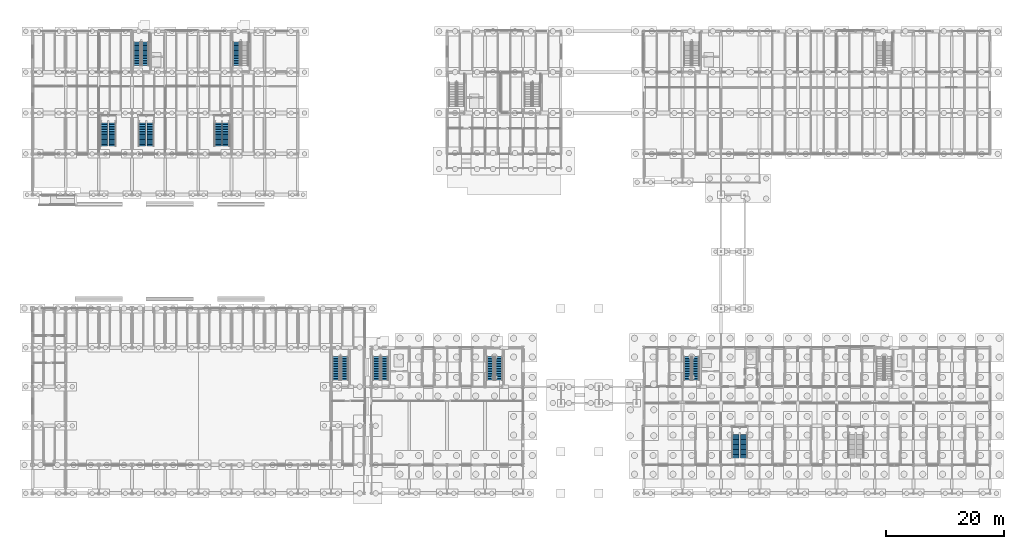
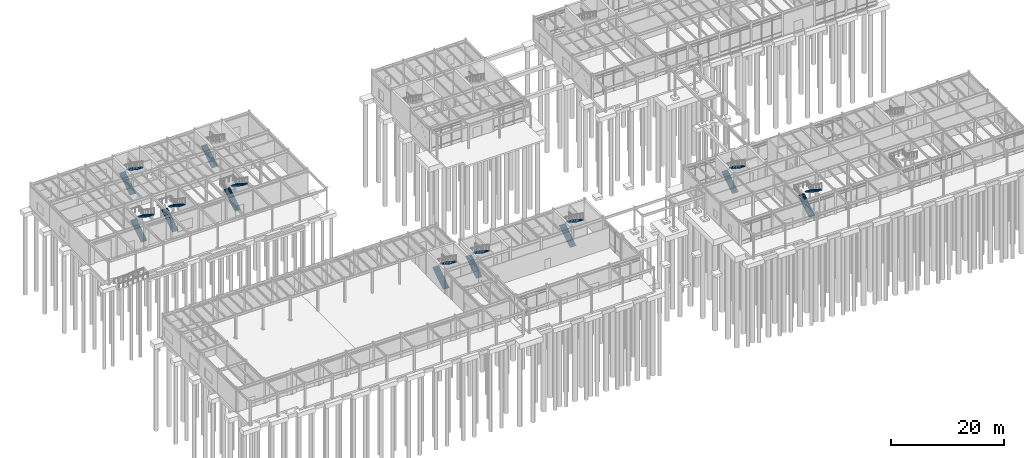
# One storey, part 76 of 82: 19 stair flights, 10 elements without a shape of their own.
"""IFC4 building model written with IfcOpenShell, lengths in metres."""

from ifc_helpers import new_model, si_unit, direction, frame, origin, place, context, subcontext, project, spatial, polyline, outline, extrude, material, layer, layer_set, type_object, element, aggregate, save


model = new_model("IFC4")

# Units and contexts
model_context = context("Model", 3, precision=1e-05, world=origin(), true_north=direction((0.0, 1.0)))
body_context = subcontext(model_context, "Body", "Model", "MODEL_VIEW")
ifc_project = project(units=[si_unit("LENGTHUNIT", "METRE"), si_unit("AREAUNIT", "SQUARE_METRE"), si_unit("VOLUMEUNIT", "CUBIC_METRE"), si_unit("PLANEANGLEUNIT", "RADIAN"), si_unit("MASSUNIT", "GRAM", prefix="KILO")], contexts=[model_context])

# Site, building, storey
site_placement = place(None, origin())
site = spatial("IfcSite", under=ifc_project, at=site_placement, CompositionType="ELEMENT")
building_placement = place(site_placement, origin())
building = spatial("IfcBuilding", under=site, at=building_placement, Name="Trelmorton Wharf Fire Station", CompositionType="ELEMENT")
storey_placement = place(building_placement, origin())
storey = spatial("IfcBuildingStorey", under=building, at=storey_placement, Name="L00", CompositionType="ELEMENT", Elevation=0.0)

# Stair, stair flights
ifc_material = material(Name="Precast concrete 45 MPa", Category="concrete")
stair_type = type_object("IfcStairType", Name="ST_DOG_540", PredefinedType="HALF_TURN_STAIR", material=ifc_material)
stair_1_placement = place(storey_placement, origin())
stair_1 = element("IfcStair", 1, at=stair_1_placement, inside=storey, type_object=stair_type, Name="Escape Stair ST2-L00", PredefinedType="HALF_TURN_STAIR")
ifc_layer_1 = layer(ifc_material, 0.139892578125)
ifc_layer_set_1 = layer_set([ifc_layer_1], Name="Precast concrete 45 MPa")
stair_flight_type_1 = type_object("IfcStairFlightType", Name="SF_PRE_120", PredefinedType="STRAIGHT", material=ifc_layer_set_1)
stair_flight_1_placement = place(storey_placement, frame((58.860107421875, 22.139892578125, 0.0), z_axis=(0.0, 0.0, 1.0), x_axis=(0.0, 1.0, 0.0)))
stair_flight_1 = element("IfcStairFlight", 2, at=stair_flight_1_placement, type_object=stair_flight_type_1, Name="ST2-L00 flight 1", NumberOfRisers=15, NumberOfTreads=14, PredefinedType="STRAIGHT", RiserHeight=0.18, TreadLength=0.28, context=body_context, shape_type="SweptSolid", body=[
    extrude(outline(polyline([(0.0, 0.0), (0.0, 0.179931640625), (0.280029296875, 0.179931640625), (0.280029296875, 0.360107421875), (0.56005859375, 0.360107421875), (0.56005859375, 0.5400390625), (0.840087890625, 0.5400390625), (0.840087890625, 0.719970703125), (1.1201171875, 0.719970703125), (1.1201171875, 0.89990234375), (1.39990234375, 0.89990234375), (1.39990234375, 1.080078125), (1.679931640625, 1.080078125), (1.679931640625, 1.260009765625), (1.9599609375, 1.260009765625), (1.9599609375, 1.43994140625), (2.239990234375, 1.43994140625), (2.239990234375, 1.6201171875), (2.52001953125, 1.6201171875), (2.52001953125, 1.800048828125), (2.800048828125, 1.800048828125), (2.800048828125, 1.97998046875), (3.080078125, 1.97998046875), (3.080078125, 2.159912109375), (3.360107421875, 2.159912109375), (3.360107421875, 2.340087890625), (3.639892578125, 2.340087890625), (3.639892578125, 2.52001953125), (3.919921875, 2.52001953125), (3.919921875, 2.699951171875), (3.919921875, 2.329833984375), (0.295654296875, 0.0), (0.0, 0.0)])), frame((0.0, 0.60009765625, 0.0), z_axis=(0.0, -1.0, 0.0), x_axis=(1.0, 0.0, 0.0)), (0.0, 0.0, 1.0), 1.199951171875),
])
stair_flight_2_placement = place(storey_placement, frame((60.260009765625, 26.06005859375, 2.699951171875), z_axis=(0.0, 0.0, 1.0), x_axis=(0.0, -1.0, 0.0)))
stair_flight_2 = element("IfcStairFlight", 3, at=stair_flight_2_placement, type_object=stair_flight_type_1, Name="ST2-L00 flight 2", NumberOfRisers=15, NumberOfTreads=14, PredefinedType="STRAIGHT", RiserHeight=0.18, TreadLength=0.28, context=body_context, shape_type="SweptSolid", body=[
    extrude(outline(polyline([(0.0, 0.0), (0.0, 0.179931640625), (0.280029296875, 0.179931640625), (0.280029296875, 0.360107421875), (0.56005859375, 0.360107421875), (0.56005859375, 0.5400390625), (0.840087890625, 0.5400390625), (0.840087890625, 0.719970703125), (1.1201171875, 0.719970703125), (1.1201171875, 0.89990234375), (1.39990234375, 0.89990234375), (1.39990234375, 1.080078125), (1.679931640625, 1.080078125), (1.679931640625, 1.260009765625), (1.9599609375, 1.260009765625), (1.9599609375, 1.43994140625), (2.239990234375, 1.43994140625), (2.239990234375, 1.6201171875), (2.52001953125, 1.6201171875), (2.52001953125, 1.800048828125), (2.800048828125, 1.800048828125), (2.800048828125, 1.97998046875), (3.080078125, 1.97998046875), (3.080078125, 2.159912109375), (3.360107421875, 2.159912109375), (3.360107421875, 2.340087890625), (3.639892578125, 2.340087890625), (3.639892578125, 2.52001953125), (3.919921875, 2.52001953125), (3.919921875, 2.699951171875), (3.919921875, 2.329833984375), (0.295654296875, 0.0), (0.0, 0.0)])), frame((0.0, 0.60009765625, 0.0), z_axis=(0.0, -1.0, 0.0), x_axis=(1.0, 0.0, 0.0)), (0.0, 0.0, 1.0), 1.199951171875),
])
aggregate(stair_1, [stair_flight_1, stair_flight_2])

stair_2_placement = place(storey_placement, origin())
stair_2 = element("IfcStair", 4, at=stair_2_placement, inside=storey, type_object=stair_type, Name="Escape Stair ST4-L00", PredefinedType="HALF_TURN_STAIR")
stair_flight_3_placement = place(storey_placement, frame((111.360107421875, 22.139892578125, 0.0), z_axis=(0.0, 0.0, 1.0), x_axis=(0.0, 1.0, 0.0)))
stair_flight_3 = element("IfcStairFlight", 5, at=stair_flight_3_placement, type_object=stair_flight_type_1, Name="ST4-L00 flight 1", NumberOfRisers=15, NumberOfTreads=14, PredefinedType="STRAIGHT", RiserHeight=0.18, TreadLength=0.28, context=body_context, shape_type="SweptSolid", body=[
    extrude(outline(polyline([(0.0, 0.0), (0.0, 0.179931640625), (0.280029296875, 0.179931640625), (0.280029296875, 0.360107421875), (0.56005859375, 0.360107421875), (0.56005859375, 0.5400390625), (0.840087890625, 0.5400390625), (0.840087890625, 0.719970703125), (1.1201171875, 0.719970703125), (1.1201171875, 0.89990234375), (1.39990234375, 0.89990234375), (1.39990234375, 1.080078125), (1.679931640625, 1.080078125), (1.679931640625, 1.260009765625), (1.9599609375, 1.260009765625), (1.9599609375, 1.43994140625), (2.239990234375, 1.43994140625), (2.239990234375, 1.6201171875), (2.52001953125, 1.6201171875), (2.52001953125, 1.800048828125), (2.800048828125, 1.800048828125), (2.800048828125, 1.97998046875), (3.080078125, 1.97998046875), (3.080078125, 2.159912109375), (3.360107421875, 2.159912109375), (3.360107421875, 2.340087890625), (3.639892578125, 2.340087890625), (3.639892578125, 2.52001953125), (3.919921875, 2.52001953125), (3.919921875, 2.699951171875), (3.919921875, 2.329833984375), (0.295654296875, 0.0), (0.0, 0.0)])), frame((0.0, 0.60009765625, 0.0), z_axis=(0.0, -1.0, 0.0), x_axis=(1.0, 0.0, 0.0)), (0.0, 0.0, 1.0), 1.199951171875),
])
stair_flight_4_placement = place(storey_placement, frame((112.760009765625, 26.06005859375, 2.699951171875), z_axis=(0.0, 0.0, 1.0), x_axis=(0.0, -1.0, 0.0)))
stair_flight_4 = element("IfcStairFlight", 6, at=stair_flight_4_placement, type_object=stair_flight_type_1, Name="ST4-L00 flight 2", NumberOfRisers=15, NumberOfTreads=14, PredefinedType="STRAIGHT", RiserHeight=0.18, TreadLength=0.28, context=body_context, shape_type="SweptSolid", body=[
    extrude(outline(polyline([(0.0, 0.0), (0.0, 0.179931640625), (0.280029296875, 0.179931640625), (0.280029296875, 0.360107421875), (0.56005859375, 0.360107421875), (0.56005859375, 0.5400390625), (0.840087890625, 0.5400390625), (0.840087890625, 0.719970703125), (1.1201171875, 0.719970703125), (1.1201171875, 0.89990234375), (1.39990234375, 0.89990234375), (1.39990234375, 1.080078125), (1.679931640625, 1.080078125), (1.679931640625, 1.260009765625), (1.9599609375, 1.260009765625), (1.9599609375, 1.43994140625), (2.239990234375, 1.43994140625), (2.239990234375, 1.6201171875), (2.52001953125, 1.6201171875), (2.52001953125, 1.800048828125), (2.800048828125, 1.800048828125), (2.800048828125, 1.97998046875), (3.080078125, 1.97998046875), (3.080078125, 2.159912109375), (3.360107421875, 2.159912109375), (3.360107421875, 2.340087890625), (3.639892578125, 2.340087890625), (3.639892578125, 2.52001953125), (3.919921875, 2.52001953125), (3.919921875, 2.699951171875), (3.919921875, 2.329833984375), (0.295654296875, 0.0), (0.0, 0.0)])), frame((0.0, 0.60009765625, 0.0), z_axis=(0.0, -1.0, 0.0), x_axis=(1.0, 0.0, 0.0)), (0.0, 0.0, 1.0), 1.199951171875),
])
aggregate(stair_2, [stair_flight_3, stair_flight_4])

stair_3_placement = place(storey_placement, origin())
stair_3 = element("IfcStair", 7, at=stair_3_placement, inside=storey, type_object=stair_type, Name="Escape Stair ST6-L00", PredefinedType="HALF_TURN_STAIR")
stair_flight_5_placement = place(storey_placement, frame((18.4599609375, 75.239990234375, 0.0), z_axis=(0.0, 0.0, 1.0), x_axis=(0.0, 1.0, 0.0)))
stair_flight_5 = element("IfcStairFlight", 8, at=stair_flight_5_placement, type_object=stair_flight_type_1, Name="ST6-L00 flight 1", NumberOfRisers=15, NumberOfTreads=14, PredefinedType="STRAIGHT", RiserHeight=0.18, TreadLength=0.28, context=body_context, shape_type="SweptSolid", body=[
    extrude(outline(polyline([(0.0, 0.0), (0.0, 0.179931640625), (0.280029296875, 0.179931640625), (0.280029296875, 0.360107421875), (0.56005859375, 0.360107421875), (0.56005859375, 0.5400390625), (0.840087890625, 0.5400390625), (0.840087890625, 0.719970703125), (1.1201171875, 0.719970703125), (1.1201171875, 0.89990234375), (1.39990234375, 0.89990234375), (1.39990234375, 1.080078125), (1.679931640625, 1.080078125), (1.679931640625, 1.260009765625), (1.9599609375, 1.260009765625), (1.9599609375, 1.43994140625), (2.239990234375, 1.43994140625), (2.239990234375, 1.6201171875), (2.52001953125, 1.6201171875), (2.52001953125, 1.800048828125), (2.800048828125, 1.800048828125), (2.800048828125, 1.97998046875), (3.080078125, 1.97998046875), (3.080078125, 2.159912109375), (3.360107421875, 2.159912109375), (3.360107421875, 2.340087890625), (3.639892578125, 2.340087890625), (3.639892578125, 2.52001953125), (3.919921875, 2.52001953125), (3.919921875, 2.699951171875), (3.919921875, 2.329833984375), (0.295654296875, 0.0), (0.0, 0.0)])), frame((0.0, 0.60009765625, 0.0), z_axis=(0.0, -1.0, 0.0), x_axis=(1.0, 0.0, 0.0)), (0.0, 0.0, 1.0), 1.199951171875),
])
stair_flight_6_placement = place(storey_placement, frame((19.860107421875, 79.159912109375, 2.699951171875), z_axis=(0.0, 0.0, 1.0), x_axis=(0.0, -1.0, 0.0)))
stair_flight_6 = element("IfcStairFlight", 9, at=stair_flight_6_placement, type_object=stair_flight_type_1, Name="ST6-L00 flight 2", NumberOfRisers=15, NumberOfTreads=14, PredefinedType="STRAIGHT", RiserHeight=0.18, TreadLength=0.28, context=body_context, shape_type="SweptSolid", body=[
    extrude(outline(polyline([(0.0, 0.0), (0.0, 0.179931640625), (0.280029296875, 0.179931640625), (0.280029296875, 0.360107421875), (0.56005859375, 0.360107421875), (0.56005859375, 0.5400390625), (0.840087890625, 0.5400390625), (0.840087890625, 0.719970703125), (1.1201171875, 0.719970703125), (1.1201171875, 0.89990234375), (1.39990234375, 0.89990234375), (1.39990234375, 1.080078125), (1.679931640625, 1.080078125), (1.679931640625, 1.260009765625), (1.9599609375, 1.260009765625), (1.9599609375, 1.43994140625), (2.239990234375, 1.43994140625), (2.239990234375, 1.6201171875), (2.52001953125, 1.6201171875), (2.52001953125, 1.800048828125), (2.800048828125, 1.800048828125), (2.800048828125, 1.97998046875), (3.080078125, 1.97998046875), (3.080078125, 2.159912109375), (3.360107421875, 2.159912109375), (3.360107421875, 2.340087890625), (3.639892578125, 2.340087890625), (3.639892578125, 2.52001953125), (3.919921875, 2.52001953125), (3.919921875, 2.699951171875), (3.919921875, 2.329833984375), (0.295654296875, 0.0), (0.0, 0.0)])), frame((0.0, 0.60009765625, 0.0), z_axis=(0.0, -1.0, 0.0), x_axis=(1.0, 0.0, 0.0)), (0.0, 0.0, 1.0), 1.199951171875),
])
aggregate(stair_3, [stair_flight_5, stair_flight_6])

# Stair, stair flight
stair_4_placement = place(storey_placement, origin())
stair_4 = element("IfcStair", 10, at=stair_4_placement, inside=storey, type_object=stair_type, Name="Escape Stair ST7-L00", PredefinedType="HALF_TURN_STAIR")
stair_flight_7_placement = place(storey_placement, frame((35.260009765625, 75.239990234375, 0.0), z_axis=(0.0, 0.0, 1.0), x_axis=(0.0, 1.0, 0.0)))
stair_flight_7 = element("IfcStairFlight", 11, at=stair_flight_7_placement, type_object=stair_flight_type_1, Name="ST7-L00 flight 1", NumberOfRisers=15, NumberOfTreads=14, PredefinedType="STRAIGHT", RiserHeight=0.18, TreadLength=0.28, context=body_context, shape_type="SweptSolid", body=[
    extrude(outline(polyline([(0.0, 0.0), (0.0, 0.179931640625), (0.280029296875, 0.179931640625), (0.280029296875, 0.360107421875), (0.56005859375, 0.360107421875), (0.56005859375, 0.5400390625), (0.840087890625, 0.5400390625), (0.840087890625, 0.719970703125), (1.1201171875, 0.719970703125), (1.1201171875, 0.89990234375), (1.39990234375, 0.89990234375), (1.39990234375, 1.080078125), (1.679931640625, 1.080078125), (1.679931640625, 1.260009765625), (1.9599609375, 1.260009765625), (1.9599609375, 1.43994140625), (2.239990234375, 1.43994140625), (2.239990234375, 1.6201171875), (2.52001953125, 1.6201171875), (2.52001953125, 1.800048828125), (2.800048828125, 1.800048828125), (2.800048828125, 1.97998046875), (3.080078125, 1.97998046875), (3.080078125, 2.159912109375), (3.360107421875, 2.159912109375), (3.360107421875, 2.340087890625), (3.639892578125, 2.340087890625), (3.639892578125, 2.52001953125), (3.919921875, 2.52001953125), (3.919921875, 2.699951171875), (3.919921875, 2.329833984375), (0.295654296875, 0.0), (0.0, 0.0)])), frame((0.0, 0.60009765625, 0.0), z_axis=(0.0, -1.0, 0.0), x_axis=(1.0, 0.0, 0.0)), (0.0, 0.0, 1.0), 1.199951171875),
])
aggregate(stair_4, [stair_flight_7])

# Stair, stair flights
stair_5_placement = place(storey_placement, origin())
stair_5 = element("IfcStair", 12, at=stair_5_placement, inside=storey, type_object=stair_type, Name="Feature Access Stair STS-01", PredefinedType="HALF_TURN_STAIR")
stair_flight_8_placement = place(storey_placement, frame((12.8798828125, 61.60009765625, 0.0), z_axis=(0.0, 0.0, 1.0), x_axis=(0.0, 1.0, 0.0)))
stair_flight_8 = element("IfcStairFlight", 13, at=stair_flight_8_placement, type_object=stair_flight_type_1, Name="STS-01 flight 1", NumberOfRisers=15, NumberOfTreads=14, PredefinedType="STRAIGHT", RiserHeight=0.18, TreadLength=0.28, context=body_context, shape_type="SweptSolid", body=[
    extrude(outline(polyline([(0.0, 0.0), (0.0, 0.179931640625), (0.280029296875, 0.179931640625), (0.280029296875, 0.360107421875), (0.56005859375, 0.360107421875), (0.56005859375, 0.5400390625), (0.840087890625, 0.5400390625), (0.840087890625, 0.719970703125), (1.1201171875, 0.719970703125), (1.1201171875, 0.89990234375), (1.39990234375, 0.89990234375), (1.39990234375, 1.080078125), (1.679931640625, 1.080078125), (1.679931640625, 1.260009765625), (1.9599609375, 1.260009765625), (1.9599609375, 1.43994140625), (2.239990234375, 1.43994140625), (2.239990234375, 1.6201171875), (2.52001953125, 1.6201171875), (2.52001953125, 1.800048828125), (2.800048828125, 1.800048828125), (2.800048828125, 1.97998046875), (3.080078125, 1.97998046875), (3.080078125, 2.159912109375), (3.360107421875, 2.159912109375), (3.360107421875, 2.340087890625), (3.639892578125, 2.340087890625), (3.639892578125, 2.52001953125), (3.919921875, 2.52001953125), (3.919921875, 2.699951171875), (3.919921875, 2.329833984375), (0.295654296875, 0.0), (0.0, 0.0)])), frame((0.0, 0.60009765625, 0.0), z_axis=(0.0, -1.0, 0.0), x_axis=(1.0, 0.0, 0.0)), (0.0, 0.0, 1.0), 1.199951171875),
])
stair_flight_9_placement = place(storey_placement, frame((14.320068359375, 65.52001953125, 2.699951171875), z_axis=(0.0, 0.0, 1.0), x_axis=(0.0, -1.0, 0.0)))
stair_flight_9 = element("IfcStairFlight", 14, at=stair_flight_9_placement, type_object=stair_flight_type_1, Name="STS-01 flight 2", NumberOfRisers=15, NumberOfTreads=14, PredefinedType="STRAIGHT", RiserHeight=0.18, TreadLength=0.28, context=body_context, shape_type="SweptSolid", body=[
    extrude(outline(polyline([(0.0, 0.0), (0.0, 0.179931640625), (0.280029296875, 0.179931640625), (0.280029296875, 0.360107421875), (0.56005859375, 0.360107421875), (0.56005859375, 0.5400390625), (0.840087890625, 0.5400390625), (0.840087890625, 0.719970703125), (1.1201171875, 0.719970703125), (1.1201171875, 0.89990234375), (1.39990234375, 0.89990234375), (1.39990234375, 1.080078125), (1.679931640625, 1.080078125), (1.679931640625, 1.260009765625), (1.9599609375, 1.260009765625), (1.9599609375, 1.43994140625), (2.239990234375, 1.43994140625), (2.239990234375, 1.6201171875), (2.52001953125, 1.6201171875), (2.52001953125, 1.800048828125), (2.800048828125, 1.800048828125), (2.800048828125, 1.97998046875), (3.080078125, 1.97998046875), (3.080078125, 2.159912109375), (3.360107421875, 2.159912109375), (3.360107421875, 2.340087890625), (3.639892578125, 2.340087890625), (3.639892578125, 2.52001953125), (3.919921875, 2.52001953125), (3.919921875, 2.699951171875), (3.919921875, 2.329833984375), (0.295654296875, 0.0), (0.0, 0.0)])), frame((0.0, 0.60009765625, 0.0), z_axis=(0.0, -1.0, 0.0), x_axis=(1.0, 0.0, 0.0)), (0.0, 0.0, 1.0), 1.199951171875),
])
aggregate(stair_5, [stair_flight_8, stair_flight_9])

stair_6_placement = place(storey_placement, origin())
stair_6 = element("IfcStair", 15, at=stair_6_placement, inside=storey, type_object=stair_type, Name="Feature Access Stair STS-02", PredefinedType="HALF_TURN_STAIR")
stair_flight_10_placement = place(storey_placement, frame((19.280029296875, 61.60009765625, 0.0), z_axis=(0.0, 0.0, 1.0), x_axis=(0.0, 1.0, 0.0)))
stair_flight_10 = element("IfcStairFlight", 16, at=stair_flight_10_placement, type_object=stair_flight_type_1, Name="STS-02 flight 1", NumberOfRisers=15, NumberOfTreads=14, PredefinedType="STRAIGHT", RiserHeight=0.18, TreadLength=0.28, context=body_context, shape_type="SweptSolid", body=[
    extrude(outline(polyline([(0.0, 0.0), (0.0, 0.179931640625), (0.280029296875, 0.179931640625), (0.280029296875, 0.360107421875), (0.56005859375, 0.360107421875), (0.56005859375, 0.5400390625), (0.840087890625, 0.5400390625), (0.840087890625, 0.719970703125), (1.1201171875, 0.719970703125), (1.1201171875, 0.89990234375), (1.39990234375, 0.89990234375), (1.39990234375, 1.080078125), (1.679931640625, 1.080078125), (1.679931640625, 1.260009765625), (1.9599609375, 1.260009765625), (1.9599609375, 1.43994140625), (2.239990234375, 1.43994140625), (2.239990234375, 1.6201171875), (2.52001953125, 1.6201171875), (2.52001953125, 1.800048828125), (2.800048828125, 1.800048828125), (2.800048828125, 1.97998046875), (3.080078125, 1.97998046875), (3.080078125, 2.159912109375), (3.360107421875, 2.159912109375), (3.360107421875, 2.340087890625), (3.639892578125, 2.340087890625), (3.639892578125, 2.52001953125), (3.919921875, 2.52001953125), (3.919921875, 2.699951171875), (3.919921875, 2.329833984375), (0.295654296875, 0.0), (0.0, 0.0)])), frame((0.0, 0.60009765625, 0.0), z_axis=(0.0, -1.0, 0.0), x_axis=(1.0, 0.0, 0.0)), (0.0, 0.0, 1.0), 1.199951171875),
])
stair_flight_11_placement = place(storey_placement, frame((20.719970703125, 65.52001953125, 2.699951171875), z_axis=(0.0, 0.0, 1.0), x_axis=(0.0, -1.0, 0.0)))
stair_flight_11 = element("IfcStairFlight", 17, at=stair_flight_11_placement, type_object=stair_flight_type_1, Name="STS-02 flight 2", NumberOfRisers=15, NumberOfTreads=14, PredefinedType="STRAIGHT", RiserHeight=0.18, TreadLength=0.28, context=body_context, shape_type="SweptSolid", body=[
    extrude(outline(polyline([(0.0, 0.0), (0.0, 0.179931640625), (0.280029296875, 0.179931640625), (0.280029296875, 0.360107421875), (0.56005859375, 0.360107421875), (0.56005859375, 0.5400390625), (0.840087890625, 0.5400390625), (0.840087890625, 0.719970703125), (1.1201171875, 0.719970703125), (1.1201171875, 0.89990234375), (1.39990234375, 0.89990234375), (1.39990234375, 1.080078125), (1.679931640625, 1.080078125), (1.679931640625, 1.260009765625), (1.9599609375, 1.260009765625), (1.9599609375, 1.43994140625), (2.239990234375, 1.43994140625), (2.239990234375, 1.6201171875), (2.52001953125, 1.6201171875), (2.52001953125, 1.800048828125), (2.800048828125, 1.800048828125), (2.800048828125, 1.97998046875), (3.080078125, 1.97998046875), (3.080078125, 2.159912109375), (3.360107421875, 2.159912109375), (3.360107421875, 2.340087890625), (3.639892578125, 2.340087890625), (3.639892578125, 2.52001953125), (3.919921875, 2.52001953125), (3.919921875, 2.699951171875), (3.919921875, 2.329833984375), (0.295654296875, 0.0), (0.0, 0.0)])), frame((0.0, 0.60009765625, 0.0), z_axis=(0.0, -1.0, 0.0), x_axis=(1.0, 0.0, 0.0)), (0.0, 0.0, 1.0), 1.199951171875),
])
aggregate(stair_6, [stair_flight_10, stair_flight_11])

stair_7_placement = place(storey_placement, origin())
stair_7 = element("IfcStair", 18, at=stair_7_placement, inside=storey, type_object=stair_type, Name="Feature Access Stair STS-03", PredefinedType="HALF_TURN_STAIR")
stair_flight_12_placement = place(storey_placement, frame((32.080078125, 61.60009765625, 0.0), z_axis=(0.0, 0.0, 1.0), x_axis=(0.0, 1.0, 0.0)))
stair_flight_12 = element("IfcStairFlight", 19, at=stair_flight_12_placement, type_object=stair_flight_type_1, Name="STS-03 flight 1", NumberOfRisers=15, NumberOfTreads=14, PredefinedType="STRAIGHT", RiserHeight=0.18, TreadLength=0.28, context=body_context, shape_type="SweptSolid", body=[
    extrude(outline(polyline([(0.0, 0.0), (0.0, 0.179931640625), (0.280029296875, 0.179931640625), (0.280029296875, 0.360107421875), (0.56005859375, 0.360107421875), (0.56005859375, 0.5400390625), (0.840087890625, 0.5400390625), (0.840087890625, 0.719970703125), (1.1201171875, 0.719970703125), (1.1201171875, 0.89990234375), (1.39990234375, 0.89990234375), (1.39990234375, 1.080078125), (1.679931640625, 1.080078125), (1.679931640625, 1.260009765625), (1.9599609375, 1.260009765625), (1.9599609375, 1.43994140625), (2.239990234375, 1.43994140625), (2.239990234375, 1.6201171875), (2.52001953125, 1.6201171875), (2.52001953125, 1.800048828125), (2.800048828125, 1.800048828125), (2.800048828125, 1.97998046875), (3.080078125, 1.97998046875), (3.080078125, 2.159912109375), (3.360107421875, 2.159912109375), (3.360107421875, 2.340087890625), (3.639892578125, 2.340087890625), (3.639892578125, 2.52001953125), (3.919921875, 2.52001953125), (3.919921875, 2.699951171875), (3.919921875, 2.329833984375), (0.295654296875, 0.0), (0.0, 0.0)])), frame((0.0, 0.60009765625, 0.0), z_axis=(0.0, -1.0, 0.0), x_axis=(1.0, 0.0, 0.0)), (0.0, 0.0, 1.0), 1.199951171875),
])
stair_flight_13_placement = place(storey_placement, frame((33.52001953125, 65.52001953125, 2.699951171875), z_axis=(0.0, 0.0, 1.0), x_axis=(0.0, -1.0, 0.0)))
stair_flight_13 = element("IfcStairFlight", 20, at=stair_flight_13_placement, type_object=stair_flight_type_1, Name="STS-03 flight 2", NumberOfRisers=15, NumberOfTreads=14, PredefinedType="STRAIGHT", RiserHeight=0.18, TreadLength=0.28, context=body_context, shape_type="SweptSolid", body=[
    extrude(outline(polyline([(0.0, 0.0), (0.0, 0.179931640625), (0.280029296875, 0.179931640625), (0.280029296875, 0.360107421875), (0.56005859375, 0.360107421875), (0.56005859375, 0.5400390625), (0.840087890625, 0.5400390625), (0.840087890625, 0.719970703125), (1.1201171875, 0.719970703125), (1.1201171875, 0.89990234375), (1.39990234375, 0.89990234375), (1.39990234375, 1.080078125), (1.679931640625, 1.080078125), (1.679931640625, 1.260009765625), (1.9599609375, 1.260009765625), (1.9599609375, 1.43994140625), (2.239990234375, 1.43994140625), (2.239990234375, 1.6201171875), (2.52001953125, 1.6201171875), (2.52001953125, 1.800048828125), (2.800048828125, 1.800048828125), (2.800048828125, 1.97998046875), (3.080078125, 1.97998046875), (3.080078125, 2.159912109375), (3.360107421875, 2.159912109375), (3.360107421875, 2.340087890625), (3.639892578125, 2.340087890625), (3.639892578125, 2.52001953125), (3.919921875, 2.52001953125), (3.919921875, 2.699951171875), (3.919921875, 2.329833984375), (0.295654296875, 0.0), (0.0, 0.0)])), frame((0.0, 0.60009765625, 0.0), z_axis=(0.0, -1.0, 0.0), x_axis=(1.0, 0.0, 0.0)), (0.0, 0.0, 1.0), 1.199951171875),
])
aggregate(stair_7, [stair_flight_12, stair_flight_13])

stair_8_placement = place(storey_placement, origin())
stair_8 = element("IfcStair", 21, at=stair_8_placement, inside=storey, type_object=stair_type, Name="Feature Access Stair STS-04", PredefinedType="HALF_TURN_STAIR")
stair_flight_14_placement = place(storey_placement, frame((119.47998046875, 9.0, 0.0), z_axis=(0.0, 0.0, 1.0), x_axis=(0.0, 1.0, 0.0)))
stair_flight_14 = element("IfcStairFlight", 22, at=stair_flight_14_placement, type_object=stair_flight_type_1, Name="STS-04 flight 1", NumberOfRisers=15, NumberOfTreads=14, PredefinedType="STRAIGHT", RiserHeight=0.18, TreadLength=0.28, context=body_context, shape_type="SweptSolid", body=[
    extrude(outline(polyline([(0.0, 0.0), (0.0, 0.179931640625), (0.280029296875, 0.179931640625), (0.280029296875, 0.360107421875), (0.56005859375, 0.360107421875), (0.56005859375, 0.5400390625), (0.840087890625, 0.5400390625), (0.840087890625, 0.719970703125), (1.1201171875, 0.719970703125), (1.1201171875, 0.89990234375), (1.39990234375, 0.89990234375), (1.39990234375, 1.080078125), (1.679931640625, 1.080078125), (1.679931640625, 1.260009765625), (1.9599609375, 1.260009765625), (1.9599609375, 1.43994140625), (2.239990234375, 1.43994140625), (2.239990234375, 1.6201171875), (2.52001953125, 1.6201171875), (2.52001953125, 1.800048828125), (2.800048828125, 1.800048828125), (2.800048828125, 1.97998046875), (3.080078125, 1.97998046875), (3.080078125, 2.159912109375), (3.360107421875, 2.159912109375), (3.360107421875, 2.340087890625), (3.639892578125, 2.340087890625), (3.639892578125, 2.52001953125), (3.919921875, 2.52001953125), (3.919921875, 2.699951171875), (3.919921875, 2.329833984375), (0.295654296875, 0.0), (0.0, 0.0)])), frame((0.0, 0.60009765625, 0.0), z_axis=(0.0, -1.0, 0.0), x_axis=(1.0, 0.0, 0.0)), (0.0, 0.0, 1.0), 1.199951171875),
])
stair_flight_15_placement = place(storey_placement, frame((120.919921875, 12.919921875, 2.699951171875), z_axis=(0.0, 0.0, 1.0), x_axis=(0.0, -1.0, 0.0)))
stair_flight_15 = element("IfcStairFlight", 23, at=stair_flight_15_placement, type_object=stair_flight_type_1, Name="STS-04 flight 2", NumberOfRisers=15, NumberOfTreads=14, PredefinedType="STRAIGHT", RiserHeight=0.18, TreadLength=0.28, context=body_context, shape_type="SweptSolid", body=[
    extrude(outline(polyline([(0.0, 0.0), (0.0, 0.179931640625), (0.280029296875, 0.179931640625), (0.280029296875, 0.360107421875), (0.56005859375, 0.360107421875), (0.56005859375, 0.5400390625), (0.840087890625, 0.5400390625), (0.840087890625, 0.719970703125), (1.1201171875, 0.719970703125), (1.1201171875, 0.89990234375), (1.39990234375, 0.89990234375), (1.39990234375, 1.080078125), (1.679931640625, 1.080078125), (1.679931640625, 1.260009765625), (1.9599609375, 1.260009765625), (1.9599609375, 1.43994140625), (2.239990234375, 1.43994140625), (2.239990234375, 1.6201171875), (2.52001953125, 1.6201171875), (2.52001953125, 1.800048828125), (2.800048828125, 1.800048828125), (2.800048828125, 1.97998046875), (3.080078125, 1.97998046875), (3.080078125, 2.159912109375), (3.360107421875, 2.159912109375), (3.360107421875, 2.340087890625), (3.639892578125, 2.340087890625), (3.639892578125, 2.52001953125), (3.919921875, 2.52001953125), (3.919921875, 2.699951171875), (3.919921875, 2.329833984375), (0.295654296875, 0.0), (0.0, 0.0)])), frame((0.0, 0.60009765625, 0.0), z_axis=(0.0, -1.0, 0.0), x_axis=(1.0, 0.0, 0.0)), (0.0, 0.0, 1.0), 1.199951171875),
])
aggregate(stair_8, [stair_flight_14, stair_flight_15])

stair_9_placement = place(storey_placement, origin())
stair_9 = element("IfcStair", 24, at=stair_9_placement, inside=storey, type_object=stair_type, Name="Escape Stair ST1-L00", PredefinedType="HALF_TURN_STAIR")
ifc_layer_2 = layer(ifc_material, 0.159912109375)
ifc_layer_set_2 = layer_set([ifc_layer_2], Name="Precast concrete 45 MPa")
stair_flight_type_2 = type_object("IfcStairFlightType", Name="SF_PRE_124", PredefinedType="STRAIGHT", material=ifc_layer_set_2)
stair_flight_16_placement = place(storey_placement, frame((52.080078125, 22.139892578125, 0.0), z_axis=(0.0, 0.0, 1.0), x_axis=(0.0, 1.0, 0.0)))
stair_flight_16 = element("IfcStairFlight", 25, at=stair_flight_16_placement, type_object=stair_flight_type_2, Name="ST1-L00 flight 1", NumberOfRisers=15, NumberOfTreads=14, PredefinedType="STRAIGHT", RiserHeight=0.18, TreadLength=0.28, context=body_context, shape_type="SweptSolid", body=[
    extrude(outline(polyline([(0.0, 0.0), (0.0, 0.179931640625), (0.280029296875, 0.179931640625), (0.280029296875, 0.360107421875), (0.56005859375, 0.360107421875), (0.56005859375, 0.5400390625), (0.840087890625, 0.5400390625), (0.840087890625, 0.719970703125), (1.1201171875, 0.719970703125), (1.1201171875, 0.89990234375), (1.39990234375, 0.89990234375), (1.39990234375, 1.080078125), (1.679931640625, 1.080078125), (1.679931640625, 1.260009765625), (1.9599609375, 1.260009765625), (1.9599609375, 1.43994140625), (2.239990234375, 1.43994140625), (2.239990234375, 1.6201171875), (2.52001953125, 1.6201171875), (2.52001953125, 1.800048828125), (2.800048828125, 1.800048828125), (2.800048828125, 1.97998046875), (3.080078125, 1.97998046875), (3.080078125, 2.159912109375), (3.360107421875, 2.159912109375), (3.360107421875, 2.340087890625), (3.639892578125, 2.340087890625), (3.639892578125, 2.52001953125), (3.919921875, 2.52001953125), (3.919921875, 2.699951171875), (3.919921875, 2.329833984375), (0.295654296875, 0.0), (0.0, 0.0)])), frame((0.0, 0.6201171875, 0.0), z_axis=(0.0, -1.0, 0.0), x_axis=(1.0, 0.0, 0.0)), (0.0, 0.0, 1.0), 1.239990234375),
])
stair_flight_17_placement = place(storey_placement, frame((53.52001953125, 26.06005859375, 2.699951171875), z_axis=(0.0, 0.0, 1.0), x_axis=(0.0, -1.0, 0.0)))
stair_flight_17 = element("IfcStairFlight", 26, at=stair_flight_17_placement, type_object=stair_flight_type_2, Name="ST1-L00 flight 2", NumberOfRisers=15, NumberOfTreads=14, PredefinedType="STRAIGHT", RiserHeight=0.18, TreadLength=0.28, context=body_context, shape_type="SweptSolid", body=[
    extrude(outline(polyline([(0.0, 0.0), (0.0, 0.179931640625), (0.280029296875, 0.179931640625), (0.280029296875, 0.360107421875), (0.56005859375, 0.360107421875), (0.56005859375, 0.5400390625), (0.840087890625, 0.5400390625), (0.840087890625, 0.719970703125), (1.1201171875, 0.719970703125), (1.1201171875, 0.89990234375), (1.39990234375, 0.89990234375), (1.39990234375, 1.080078125), (1.679931640625, 1.080078125), (1.679931640625, 1.260009765625), (1.9599609375, 1.260009765625), (1.9599609375, 1.43994140625), (2.239990234375, 1.43994140625), (2.239990234375, 1.6201171875), (2.52001953125, 1.6201171875), (2.52001953125, 1.800048828125), (2.800048828125, 1.800048828125), (2.800048828125, 1.97998046875), (3.080078125, 1.97998046875), (3.080078125, 2.159912109375), (3.360107421875, 2.159912109375), (3.360107421875, 2.340087890625), (3.639892578125, 2.340087890625), (3.639892578125, 2.52001953125), (3.919921875, 2.52001953125), (3.919921875, 2.699951171875), (3.919921875, 2.329833984375), (0.295654296875, 0.0), (0.0, 0.0)])), frame((0.0, 0.6201171875, 0.0), z_axis=(0.0, -1.0, 0.0), x_axis=(1.0, 0.0, 0.0)), (0.0, 0.0, 1.0), 1.239990234375),
])
aggregate(stair_9, [stair_flight_16, stair_flight_17])

stair_10_placement = place(storey_placement, origin())
stair_10 = element("IfcStair", 27, at=stair_10_placement, inside=storey, type_object=stair_type, Name="Escape Stair ST3-L00", PredefinedType="HALF_TURN_STAIR")
stair_flight_18_placement = place(storey_placement, frame((78.080078125, 22.139892578125, 0.0), z_axis=(0.0, 0.0, 1.0), x_axis=(0.0, 1.0, 0.0)))
stair_flight_18 = element("IfcStairFlight", 28, at=stair_flight_18_placement, type_object=stair_flight_type_2, Name="ST3-L00 flight 1", NumberOfRisers=15, NumberOfTreads=14, PredefinedType="STRAIGHT", RiserHeight=0.18, TreadLength=0.28, context=body_context, shape_type="SweptSolid", body=[
    extrude(outline(polyline([(0.0, 0.0), (0.0, 0.179931640625), (0.280029296875, 0.179931640625), (0.280029296875, 0.360107421875), (0.56005859375, 0.360107421875), (0.56005859375, 0.5400390625), (0.840087890625, 0.5400390625), (0.840087890625, 0.719970703125), (1.1201171875, 0.719970703125), (1.1201171875, 0.89990234375), (1.39990234375, 0.89990234375), (1.39990234375, 1.080078125), (1.679931640625, 1.080078125), (1.679931640625, 1.260009765625), (1.9599609375, 1.260009765625), (1.9599609375, 1.43994140625), (2.239990234375, 1.43994140625), (2.239990234375, 1.6201171875), (2.52001953125, 1.6201171875), (2.52001953125, 1.800048828125), (2.800048828125, 1.800048828125), (2.800048828125, 1.97998046875), (3.080078125, 1.97998046875), (3.080078125, 2.159912109375), (3.360107421875, 2.159912109375), (3.360107421875, 2.340087890625), (3.639892578125, 2.340087890625), (3.639892578125, 2.52001953125), (3.919921875, 2.52001953125), (3.919921875, 2.699951171875), (3.919921875, 2.329833984375), (0.295654296875, 0.0), (0.0, 0.0)])), frame((0.0, 0.6201171875, 0.0), z_axis=(0.0, -1.0, 0.0), x_axis=(1.0, 0.0, 0.0)), (0.0, 0.0, 1.0), 1.239990234375),
])
stair_flight_19_placement = place(storey_placement, frame((79.52001953125, 26.06005859375, 2.699951171875), z_axis=(0.0, 0.0, 1.0), x_axis=(0.0, -1.0, 0.0)))
stair_flight_19 = element("IfcStairFlight", 29, at=stair_flight_19_placement, type_object=stair_flight_type_2, Name="ST3-L00 flight 2", NumberOfRisers=15, NumberOfTreads=14, PredefinedType="STRAIGHT", RiserHeight=0.18, TreadLength=0.28, context=body_context, shape_type="SweptSolid", body=[
    extrude(outline(polyline([(0.0, 0.0), (0.0, 0.179931640625), (0.280029296875, 0.179931640625), (0.280029296875, 0.360107421875), (0.56005859375, 0.360107421875), (0.56005859375, 0.5400390625), (0.840087890625, 0.5400390625), (0.840087890625, 0.719970703125), (1.1201171875, 0.719970703125), (1.1201171875, 0.89990234375), (1.39990234375, 0.89990234375), (1.39990234375, 1.080078125), (1.679931640625, 1.080078125), (1.679931640625, 1.260009765625), (1.9599609375, 1.260009765625), (1.9599609375, 1.43994140625), (2.239990234375, 1.43994140625), (2.239990234375, 1.6201171875), (2.52001953125, 1.6201171875), (2.52001953125, 1.800048828125), (2.800048828125, 1.800048828125), (2.800048828125, 1.97998046875), (3.080078125, 1.97998046875), (3.080078125, 2.159912109375), (3.360107421875, 2.159912109375), (3.360107421875, 2.340087890625), (3.639892578125, 2.340087890625), (3.639892578125, 2.52001953125), (3.919921875, 2.52001953125), (3.919921875, 2.699951171875), (3.919921875, 2.329833984375), (0.295654296875, 0.0), (0.0, 0.0)])), frame((0.0, 0.6201171875, 0.0), z_axis=(0.0, -1.0, 0.0), x_axis=(1.0, 0.0, 0.0)), (0.0, 0.0, 1.0), 1.239990234375),
])
aggregate(stair_10, [stair_flight_18, stair_flight_19])

save(model, "model.ifc")
